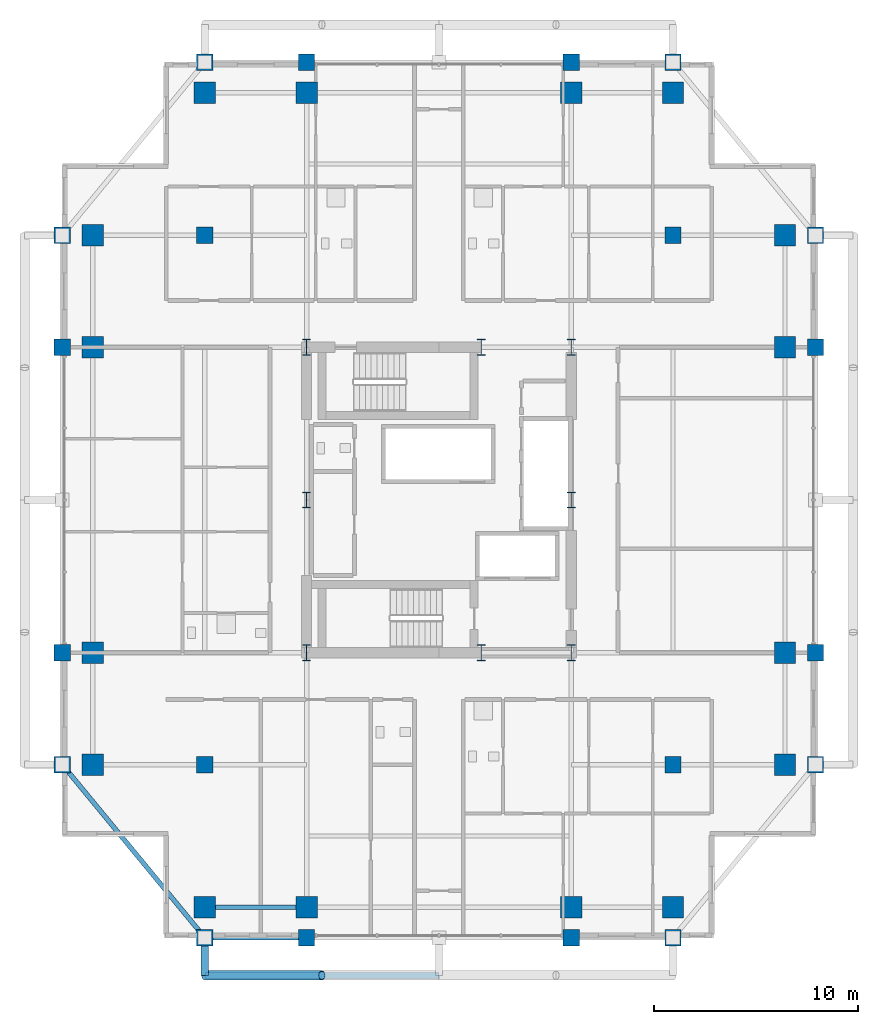
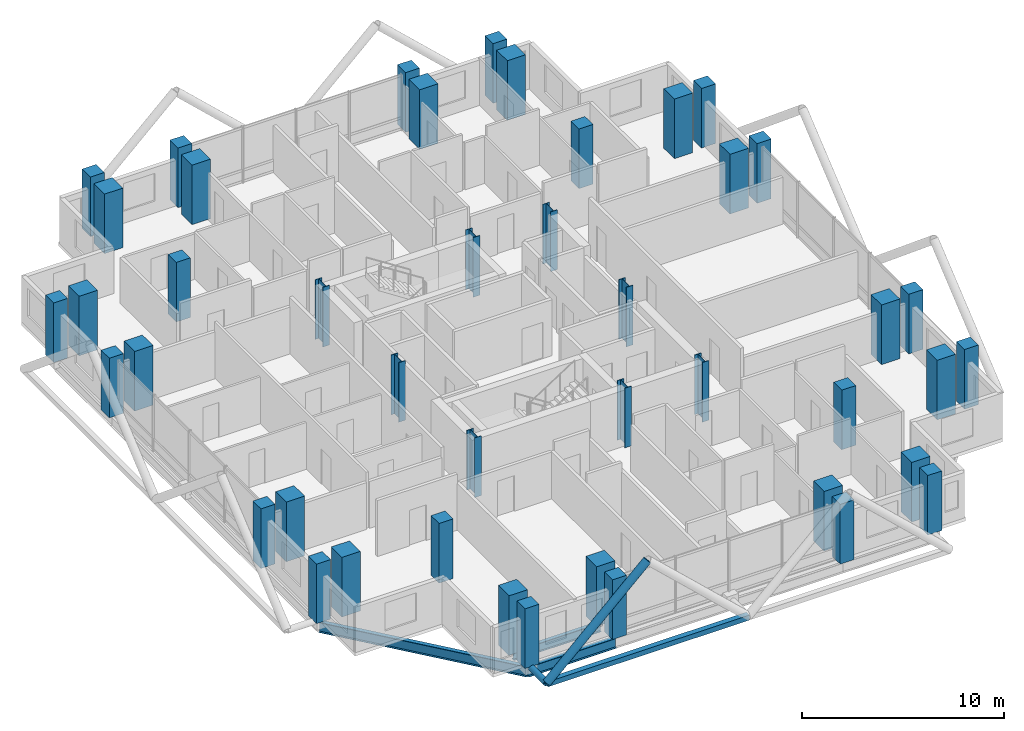
# One storey, part 1 of 26: 44 columns, 3 beams, 3 members.
"""IFC4 building model written with IfcOpenShell, lengths in metres."""

from ifc_helpers import new_model, si_unit, direction, frame, origin, origin_2d, place, context, subcontext, project, spatial, rectangle, hollow_rectangle, hollow_circle, i_section, extrude, material, material_profile, profile_set, type_object, element, save


model = new_model("IFC4")

# Units and contexts
model_context = context("Model", 3, precision=1e-05, world=origin(), true_north=direction((0.0, 1.0)))
body_context = subcontext(model_context, "Body", "Model", "MODEL_VIEW")
ifc_project = project(units=[si_unit("LENGTHUNIT", "METRE"), si_unit("AREAUNIT", "SQUARE_METRE"), si_unit("VOLUMEUNIT", "CUBIC_METRE"), si_unit("PLANEANGLEUNIT", "RADIAN"), si_unit("MASSUNIT", "GRAM", prefix="KILO")], contexts=[model_context])

# Site, building, storey
site_placement = place(None, origin())
site = spatial("IfcSite", under=ifc_project, at=site_placement, CompositionType="ELEMENT")
building_placement = place(site_placement, origin())
building = spatial("IfcBuilding", under=site, at=building_placement, Name="Barlavira Tower and Art Museum", CompositionType="ELEMENT")
storey_placement = place(building_placement, frame((0.0, 0.0, 187.199951171875)))
storey = spatial("IfcBuildingStorey", under=building, at=storey_placement, Name="L48", CompositionType="ELEMENT", Elevation=187.199951171875)

# Columns
ifc_material_1 = material(Name="Steel S355", Category="steel")
ifc_material_profile_1 = material_profile(ifc_material_1, i_section(OverallWidth=0.382080078125, OverallDepth=0.785888671875, WebThickness=0.02001953125, FlangeThickness=0.032958984375, at=origin_2d()), Name="W760x314.0")
ifc_profile_set_1 = profile_set([ifc_material_profile_1], Name="Steel S355")
column_type_1 = type_object("IfcColumnType", Name="Core Composite Column W760x314 Steel S355", PredefinedType="COLUMN", material=ifc_profile_set_1)
for number, where, z_axis, x_axis, name in (
    (1, (-6.5, -7.5, 0.0), (0.0, 0.0, 1.0), (1.0, 0.0, 0.0), "L48 Column CC-L48-C1"),
    (2, (2.080078125, -7.5, 0.0), (0.0, 0.0, 1.0), (1.0, 0.0, 0.0), "L48 Column CC-L48-C2"),
    (3, (6.5, -7.5, 0.0), (0.0, 0.0, 1.0), (1.0, 0.0, 0.0), "L48 Column CC-L48-C3"),
    (4, (-6.5, 0.0, 0.0), (0.0, 0.0, 1.0), (1.0, 0.0, 0.0), "L48 Column CC-L48-C4"),
    (5, (6.5, 0.0, 0.0), (0.0, 0.0, 1.0), (1.0, 0.0, 0.0), "L48 Column CC-L48-C5"),
    (6, (-6.5, 7.5, 0.0), (0.0, 0.0, 1.0), (1.0, 0.0, 0.0), "L48 Column CC-L48-C6"),
    (7, (2.080078125, 7.5, 0.0), (0.0, 0.0, 1.0), (1.0, 0.0, 0.0), "L48 Column CC-L48-C7"),
    (8, (6.5, 7.5, 0.0), (0.0, 0.0, 1.0), (1.0, 0.0, 0.0), "L48 Column CC-L48-C8"),
):
    element("IfcColumn", number, at=place(storey_placement, frame(where, z_axis=z_axis, x_axis=x_axis)), inside=storey, type_object=column_type_1, Name=name, PredefinedType="COLUMN", context=body_context, shape_type="SweptSolid", body=[
        extrude(i_section(OverallWidth=0.382080078125, OverallDepth=0.785888671875, WebThickness=0.02001953125, FlangeThickness=0.032958984375, at=origin_2d()), origin(), (0.0, 0.0, 1.0), 3.60009765625),
    ])
ifc_material_2 = material(Name="Concrete C55", Category="concrete")
ifc_material_profile_2 = material_profile(ifc_material_2, rectangle(XDim=1.050048828125, YDim=1.050048828125, at=origin_2d()), Name="RC-COL 1050x1050")
ifc_profile_set_2 = profile_set([ifc_material_profile_2], Name="Concrete C55")
column_type_2 = type_object("IfcColumnType", Name="Perimeter Mega Column 1050x1050 Concrete C55", PredefinedType="USERDEFINED", material=ifc_profile_set_2)
for number, where, z_axis, x_axis, name in (
    (9, (-11.5, -20.0, 0.0), (0.0, 0.0, 1.0), (1.0, 0.0, 0.0), "L48 Column MC-L48-M01"),
    (10, (-6.5, -20.0, 0.0), (0.0, 0.0, 1.0), (1.0, 0.0, 0.0), "L48 Column MC-L48-M02"),
    (11, (6.5, -20.0, 0.0), (0.0, 0.0, 1.0), (1.0, 0.0, 0.0), "L48 Column MC-L48-M03"),
    (12, (11.5, -20.0, 0.0), (0.0, 0.0, 1.0), (1.0, 0.0, 0.0), "L48 Column MC-L48-M04"),
    (13, (17.0, -13.0, 0.0), (0.0, 0.0, 1.0), (1.0, 0.0, 0.0), "L48 Column MC-L48-M05"),
    (14, (17.0, -7.5, 0.0), (0.0, 0.0, 1.0), (1.0, 0.0, 0.0), "L48 Column MC-L48-M06"),
    (15, (17.0, 7.5, 0.0), (0.0, 0.0, 1.0), (1.0, 0.0, 0.0), "L48 Column MC-L48-M07"),
    (16, (17.0, 13.0, 0.0), (0.0, 0.0, 1.0), (1.0, 0.0, 0.0), "L48 Column MC-L48-M08"),
    (17, (11.5, 20.0, 0.0), (0.0, 0.0, 1.0), (1.0, 0.0, 0.0), "L48 Column MC-L48-M09"),
    (18, (6.5, 20.0, 0.0), (0.0, 0.0, 1.0), (1.0, 0.0, 0.0), "L48 Column MC-L48-M10"),
    (19, (-6.5, 20.0, 0.0), (0.0, 0.0, 1.0), (1.0, 0.0, 0.0), "L48 Column MC-L48-M11"),
    (20, (-11.5, 20.0, 0.0), (0.0, 0.0, 1.0), (1.0, 0.0, 0.0), "L48 Column MC-L48-M12"),
    (21, (-17.0, 13.0, 0.0), (0.0, 0.0, 1.0), (1.0, 0.0, 0.0), "L48 Column MC-L48-M13"),
    (22, (-17.0, 7.5, 0.0), (0.0, 0.0, 1.0), (1.0, 0.0, 0.0), "L48 Column MC-L48-M14"),
    (23, (-17.0, -7.5, 0.0), (0.0, 0.0, 1.0), (1.0, 0.0, 0.0), "L48 Column MC-L48-M15"),
    (24, (-17.0, -13.0, 0.0), (0.0, 0.0, 1.0), (1.0, 0.0, 0.0), "L48 Column MC-L48-M16"),
):
    element("IfcColumn", number, at=place(storey_placement, frame(where, z_axis=z_axis, x_axis=x_axis)), inside=storey, type_object=column_type_2, Name=name, ObjectType="MEGA COLUMN", PredefinedType="USERDEFINED", context=body_context, shape_type="SweptSolid", body=[
        extrude(rectangle(XDim=1.050048828125, YDim=1.050048828125, at=origin_2d()), origin(), (0.0, 0.0, 1.0), 3.60009765625),
    ])
ifc_material_3 = material(Name="Concrete C50", Category="concrete")
ifc_material_profile_3 = material_profile(ifc_material_3, rectangle(XDim=0.800048828125, YDim=0.800048828125, at=origin_2d()), Name="RC-COL 800x800")
ifc_profile_set_3 = profile_set([ifc_material_profile_3], Name="Concrete C50")
column_type_3 = type_object("IfcColumnType", Name="Podium Frame Column 800x800 Concrete C50", PredefinedType="COLUMN", material=ifc_profile_set_3)
for number, where, z_axis, x_axis, name in (
    (25, (-11.5, -13.0, 0.0), (0.0, 0.0, 1.0), (1.0, 0.0, 0.0), "L48 Column CI-L48-I1"),
    (26, (11.5, -13.0, 0.0), (0.0, 0.0, 1.0), (1.0, 0.0, 0.0), "L48 Column CI-L48-I2"),
    (27, (-11.5, 13.0, 0.0), (0.0, 0.0, 1.0), (1.0, 0.0, 0.0), "L48 Column CI-L48-I3"),
    (28, (11.5, 13.0, 0.0), (0.0, 0.0, 1.0), (1.0, 0.0, 0.0), "L48 Column CI-L48-I4"),
    (29, (-11.5, -21.5, 0.0), (0.0, 0.0, 1.0), (1.0, 0.0, 0.0), "L48 Column CZ3-L48-N01"),
    (30, (-6.5, -21.5, 0.0), (0.0, 0.0, 1.0), (1.0, 0.0, 0.0), "L48 Column CZ3-L48-N02"),
    (31, (6.5, -21.5, 0.0), (0.0, 0.0, 1.0), (1.0, 0.0, 0.0), "L48 Column CZ3-L48-N02B"),
    (32, (11.5, -21.5, 0.0), (0.0, 0.0, 1.0), (1.0, 0.0, 0.0), "L48 Column CZ3-L48-N03"),
    (33, (-18.5, -13.0, 0.0), (0.0, 0.0, 1.0), (1.0, 0.0, 0.0), "L48 Column CZ3-L48-N04"),
    (34, (-18.5, -7.5, 0.0), (0.0, 0.0, 1.0), (1.0, 0.0, 0.0), "L48 Column CZ3-L48-N05"),
    (35, (-18.5, 7.5, 0.0), (0.0, 0.0, 1.0), (1.0, 0.0, 0.0), "L48 Column CZ3-L48-N05B"),
    (36, (-18.5, 13.0, 0.0), (0.0, 0.0, 1.0), (1.0, 0.0, 0.0), "L48 Column CZ3-L48-N06"),
    (37, (-11.5, 21.5, 0.0), (0.0, 0.0, 1.0), (1.0, 0.0, 0.0), "L48 Column CZ3-L48-N07"),
    (38, (-6.5, 21.5, 0.0), (0.0, 0.0, 1.0), (1.0, 0.0, 0.0), "L48 Column CZ3-L48-N08"),
    (39, (6.5, 21.5, 0.0), (0.0, 0.0, 1.0), (1.0, 0.0, 0.0), "L48 Column CZ3-L48-N08B"),
    (40, (11.5, 21.5, 0.0), (0.0, 0.0, 1.0), (1.0, 0.0, 0.0), "L48 Column CZ3-L48-N09"),
    (41, (18.5, -13.0, 0.0), (0.0, 0.0, 1.0), (1.0, 0.0, 0.0), "L48 Column CZ3-L48-N10"),
    (42, (18.5, -7.5, 0.0), (0.0, 0.0, 1.0), (1.0, 0.0, 0.0), "L48 Column CZ3-L48-N11"),
    (43, (18.5, 7.5, 0.0), (0.0, 0.0, 1.0), (1.0, 0.0, 0.0), "L48 Column CZ3-L48-N11B"),
    (44, (18.5, 13.0, 0.0), (0.0, 0.0, 1.0), (1.0, 0.0, 0.0), "L48 Column CZ3-L48-N12"),
):
    element("IfcColumn", number, at=place(storey_placement, frame(where, z_axis=z_axis, x_axis=x_axis)), inside=storey, type_object=column_type_3, Name=name, PredefinedType="COLUMN", context=body_context, shape_type="SweptSolid", body=[
        extrude(rectangle(XDim=0.800048828125, YDim=0.800048828125, at=origin_2d()), origin(), (0.0, 0.0, 1.0), 3.60009765625),
    ])

# Members
ifc_material_profile_4 = material_profile(ifc_material_1, hollow_circle(Radius=0.228515625, WallThickness=0.02001953125, at=origin_2d()), Name="CHS 457.0x20.0")
ifc_profile_set_4 = profile_set([ifc_material_profile_4], Name="Steel S355")
member_type_1 = type_object("IfcMemberType", Name="Pale-Metal Exoskeleton Diagrid Tube CHS 457x20 Steel S355", PredefinedType="BRACE", material=ifc_profile_set_4)
member_1_placement = place(storey_placement, frame((-11.5, -23.35009765625, -0.119873046875), z_axis=(0.728950095515, 0.0, 0.684566839869), x_axis=(0.0, 1.0, 0.0)))
element("IfcMember", 45, at=member_1_placement, inside=storey, type_object=member_type_1, Name="L48 Exoskeleton Diagrid Tube S", PredefinedType="BRACE", context=body_context, shape_type="SweptSolid", body=[
    extrude(hollow_circle(Radius=0.228515625, WallThickness=0.02001953125, at=origin_2d()), origin(), (0.0, 0.0, 1.0), 7.887939453125),
])
ifc_material_profile_5 = material_profile(ifc_material_1, hollow_circle(Radius=0.177734375, WallThickness=0.01611328125, at=origin_2d()), Name="CHS 355.6x16.0")
ifc_profile_set_5 = profile_set([ifc_material_profile_5], Name="Steel S355")
member_type_2 = type_object("IfcMemberType", Name="Pale-Metal Exoskeleton Tie Strut CHS 356x16 Steel S355", PredefinedType="STRUT", material=ifc_profile_set_5)
member_2_placement = place(storey_placement, frame((-11.5, -23.35009765625, -0.119873046875), z_axis=(0.0, 1.0, 0.0), x_axis=(-1.0, 0.0, 0.0)))
element("IfcMember", 46, at=member_2_placement, inside=storey, type_object=member_type_2, Name="L48 Exoskeleton Tie Strut S1", PredefinedType="STRUT", context=body_context, shape_type="SweptSolid", body=[
    extrude(hollow_circle(Radius=0.177734375, WallThickness=0.01611328125, at=origin_2d()), origin(), (0.0, 0.0, 1.0), 1.85009765625),
])
ifc_material_profile_6 = material_profile(ifc_material_1, hollow_rectangle(XDim=0.300048828125, YDim=0.300048828125, WallThickness=0.01611328125, at=origin_2d()), Name="SHS 300x300x16.0")
ifc_profile_set_6 = profile_set([ifc_material_profile_6], Name="Steel S355")
member_type_3 = type_object("IfcMemberType", Name="Pale-Metal Upper Ring Strut SHS 300x300x16 Steel S355", PredefinedType="STRUT", material=ifc_profile_set_6)
member_3_placement = place(storey_placement, frame((-11.5, -23.35009765625, -0.119873046875), z_axis=(1.0, 0.0, 0.0), x_axis=(0.0, 1.0, 0.0)))
element("IfcMember", 47, at=member_3_placement, inside=storey, type_object=member_type_3, Name="L48 Exoskeleton Ring Strut S", PredefinedType="STRUT", context=body_context, shape_type="SweptSolid", body=[
    extrude(hollow_rectangle(XDim=0.300048828125, YDim=0.300048828125, WallThickness=0.01611328125, at=origin_2d()), origin(), (0.0, 0.0, 1.0), 11.5),
])

# Beams
ifc_material_profile_7 = material_profile(ifc_material_1, i_section(OverallWidth=0.22998046875, OverallDepth=0.616943359375, WebThickness=0.01318359375, FlangeThickness=0.022216796875, at=origin_2d()), Name="W610x140.0")
ifc_profile_set_7 = profile_set([ifc_material_profile_7], Name="Steel S355")
beam_type_1 = type_object("IfcBeamType", Name="Upper Shaft Spandrel Edge Beam W610x140 Steel S355", PredefinedType="SPANDREL", material=ifc_profile_set_7)
beam_1_placement = place(storey_placement, frame((-11.5, -21.5, -0.528564453125), z_axis=(1.0, 0.0, 0.0), x_axis=(0.0, 1.0, 0.0)))
element("IfcBeam", 48, at=beam_1_placement, inside=storey, type_object=beam_type_1, Name="L48 Spandrel 1", PredefinedType="SPANDREL", context=body_context, shape_type="SweptSolid", body=[
    extrude(i_section(OverallWidth=0.22998046875, OverallDepth=0.616943359375, WebThickness=0.01318359375, FlangeThickness=0.022216796875, at=origin_2d()), origin(), (0.0, 0.0, 1.0), 5.0),
])
beam_2_placement = place(storey_placement, frame((-18.5, -13.0, -0.528564453125), z_axis=(0.635707252861, -0.771930235617, 0.0), x_axis=(0.771930235617, 0.635707252861, 0.0)))
element("IfcBeam", 49, at=beam_2_placement, inside=storey, type_object=beam_type_1, Name="L48 Spandrel 16", PredefinedType="SPANDREL", context=body_context, shape_type="SweptSolid", body=[
    extrude(i_section(OverallWidth=0.22998046875, OverallDepth=0.616943359375, WebThickness=0.01318359375, FlangeThickness=0.022216796875, at=origin_2d()), origin(), (0.0, 0.0, 1.0), 11.011474609375),
])
ifc_material_profile_8 = material_profile(ifc_material_1, i_section(OverallWidth=0.2109375, OverallDepth=0.5390625, WebThickness=0.01171875, FlangeThickness=0.018798828125, at=origin_2d()), Name="W530x109.0")
ifc_profile_set_8 = profile_set([ifc_material_profile_8], Name="Steel S355")
beam_type_2 = type_object("IfcBeamType", Name="Zone 3-4 Primary Floor Girder W530x109 Steel S355", PredefinedType="BEAM", material=ifc_profile_set_8)
beam_3_placement = place(storey_placement, frame((-11.5, -20.0, -0.489501953125), z_axis=(1.0, 0.0, 0.0), x_axis=(0.0, 1.0, 0.0)))
element("IfcBeam", 50, at=beam_3_placement, inside=storey, type_object=beam_type_2, Name="L48 Girder M-S1", PredefinedType="BEAM", context=body_context, shape_type="SweptSolid", body=[
    extrude(i_section(OverallWidth=0.2109375, OverallDepth=0.5390625, WebThickness=0.01171875, FlangeThickness=0.018798828125, at=origin_2d()), origin(), (0.0, 0.0, 1.0), 5.0),
])

save(model, "model.ifc")
